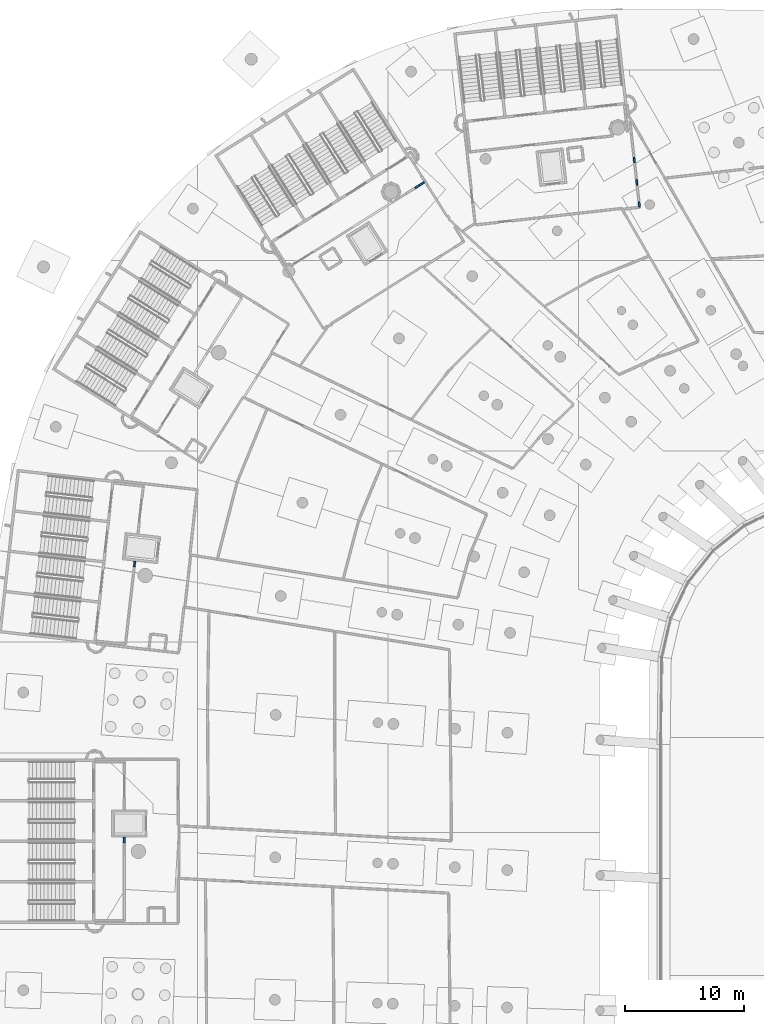
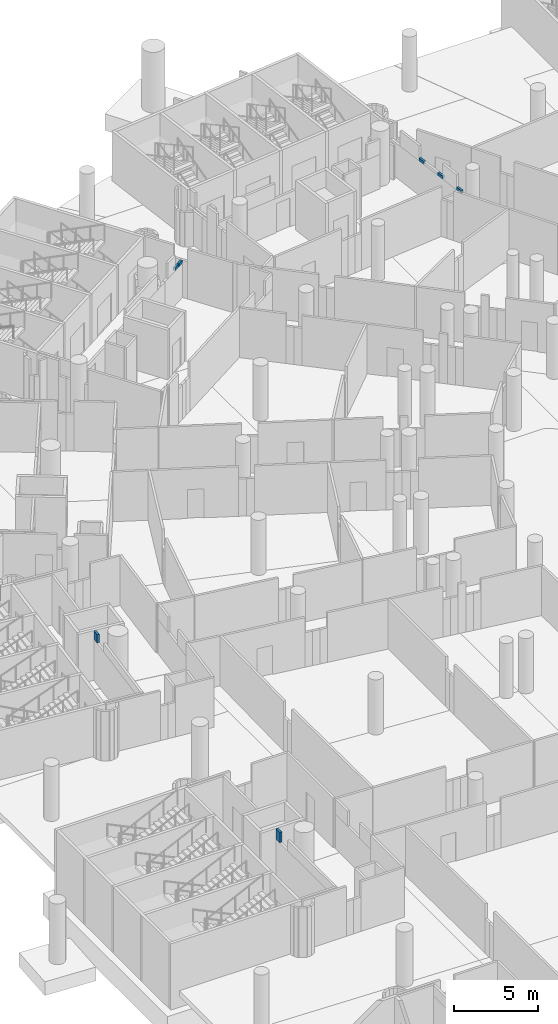
# One storey, part 97 of 142: 7 walls.
"""IFC4 building model written with IfcOpenShell, lengths in metres."""

from ifc_helpers import new_model, si_unit, direction, frame, frame_2d, origin, place, context, subcontext, project, spatial, rectangle, extrude, material, layer, layer_set, type_object, element, save


model = new_model("IFC4")

# Units and contexts
model_context = context("Model", 3, precision=1e-05, world=origin(), true_north=direction((0.0, 1.0)))
body_context = subcontext(model_context, "Body", "Model", "MODEL_VIEW")
ifc_project = project(units=[si_unit("LENGTHUNIT", "METRE"), si_unit("AREAUNIT", "SQUARE_METRE"), si_unit("VOLUMEUNIT", "CUBIC_METRE"), si_unit("PLANEANGLEUNIT", "RADIAN"), si_unit("MASSUNIT", "GRAM", prefix="KILO")], contexts=[model_context])

# Site, building, storey
site_placement = place(None, origin())
site = spatial("IfcSite", under=ifc_project, at=site_placement, CompositionType="ELEMENT")
building_placement = place(site_placement, origin())
building = spatial("IfcBuilding", under=site, at=building_placement, Name="Meseta Stadium", CompositionType="ELEMENT")
storey_placement = place(building_placement, frame((0.0, 0.0, -4.0)))
storey = spatial("IfcBuildingStorey", under=building, at=storey_placement, Name="B1", CompositionType="ELEMENT", Elevation=-4.0)

# Walls
ifc_material = material(Name="Masonry blockwork", Category="masonry")
ifc_layer = layer(ifc_material, 0.14990234375)
ifc_layer_set = layer_set([ifc_layer], Name="Partition 150")
wall_type = type_object("IfcWallType", Name="Partition 150", PredefinedType="PARTITIONING", material=ifc_layer_set)
for number, where, z_axis, x_axis, name in (
    (1, (-42.865478515625, 84.477783203125, 2.5), (0.0, 0.0, 1.0), (-0.112198709192, 0.993685790205, 0.0), "Stair vestibule wall B1 core 12"),
    (2, (-43.076171875, 86.345947265625, 2.5), (0.0, 0.0, 1.0), (-0.111685764928, 0.99374357352, 0.0), "Stair vestibule wall B1 core 12"),
    (3, (-43.28662109375, 88.214111328125, 2.5), (0.0, 0.0, 1.0), (-0.111685764928, 0.99374357352, 0.0), "Stair vestibule wall B1 core 12"),
):
    element("IfcWall", number, at=place(storey_placement, frame(where, z_axis=z_axis, x_axis=x_axis)), inside=storey, type_object=wall_type, Name=name, PredefinedType="PARTITIONING", context=body_context, shape_type="SweptSolid", body=[
        extrude(rectangle(XDim=0.469970703125, YDim=0.14990234375, at=frame_2d((0.23486328125, 0.0))), origin(), (0.0, 0.0, 1.0), 0.199951171875),
    ])
wall_1_placement = place(storey_placement, frame((-61.71142578125, 86.09912109375, 2.5), z_axis=(0.0, 0.0, 1.0), x_axis=(0.846732995614, 0.53201807689, 0.0)))
element("IfcWall", 4, at=wall_1_placement, inside=storey, type_object=wall_type, Name="Stair vestibule wall B1 core 13", PredefinedType="PARTITIONING", context=body_context, shape_type="SweptSolid", body=[
    extrude(rectangle(XDim=0.4560546875, YDim=0.14990234375, at=frame_2d((0.22802734375, 0.0))), origin(), (0.0, 0.0, 1.0), 0.199951171875),
])
wall_2_placement = place(storey_placement, frame((-61.3251953125, 86.341796875, 2.5), z_axis=(0.0, 0.0, 1.0), x_axis=(0.846491868673, 0.532401649387, 0.0)))
element("IfcWall", 5, at=wall_2_placement, inside=storey, type_object=wall_type, Name="Stair vestibule wall B1 core 13", PredefinedType="PARTITIONING", context=body_context, shape_type="SweptSolid", body=[
    extrude(rectangle(XDim=0.456298828125, YDim=0.14990234375, at=frame_2d((0.22802734375, 0.0))), origin(), (0.0, 0.0, 1.0), 0.199951171875),
])
wall_3_placement = place(storey_placement, frame((-85.290771484375, 54.298583984375, 3.0), z_axis=(0.0, 0.0, 1.0), x_axis=(0.112265280257, 0.993678271298, 0.0)))
element("IfcWall", 6, at=wall_3_placement, inside=storey, type_object=wall_type, Name="Stair vestibule wall B1 core 15", PredefinedType="PARTITIONING", context=body_context, shape_type="SweptSolid", body=[
    extrude(rectangle(XDim=0.467529296875, YDim=0.14990234375, at=frame_2d((0.23388671875, 0.0))), origin(), (0.0, 0.0, 1.0), 0.60009765625),
])
wall_4_placement = place(storey_placement, frame((-86.125, 31.122314453125, 2.85009765625), z_axis=(0.0, 0.0, 1.0), x_axis=(0.0, 1.0, 0.0)))
element("IfcWall", 7, at=wall_4_placement, inside=storey, type_object=wall_type, Name="Stair vestibule wall B1 core 16", PredefinedType="PARTITIONING", context=body_context, shape_type="SweptSolid", body=[
    extrude(rectangle(XDim=0.4677734375, YDim=0.14990234375, at=frame_2d((0.23388671875, 0.0))), origin(), (0.0, 0.0, 1.0), 0.75),
])

save(model, "model.ifc")
